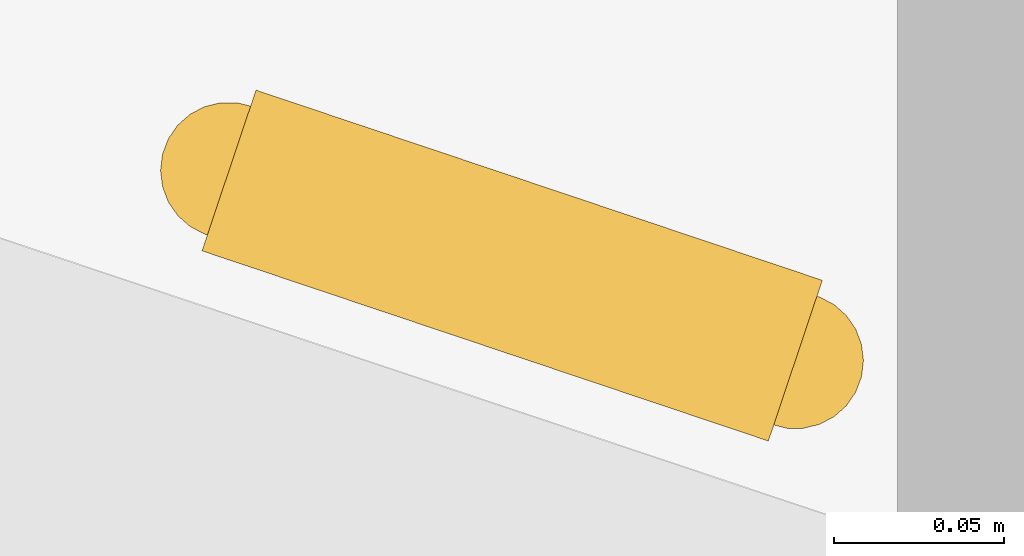
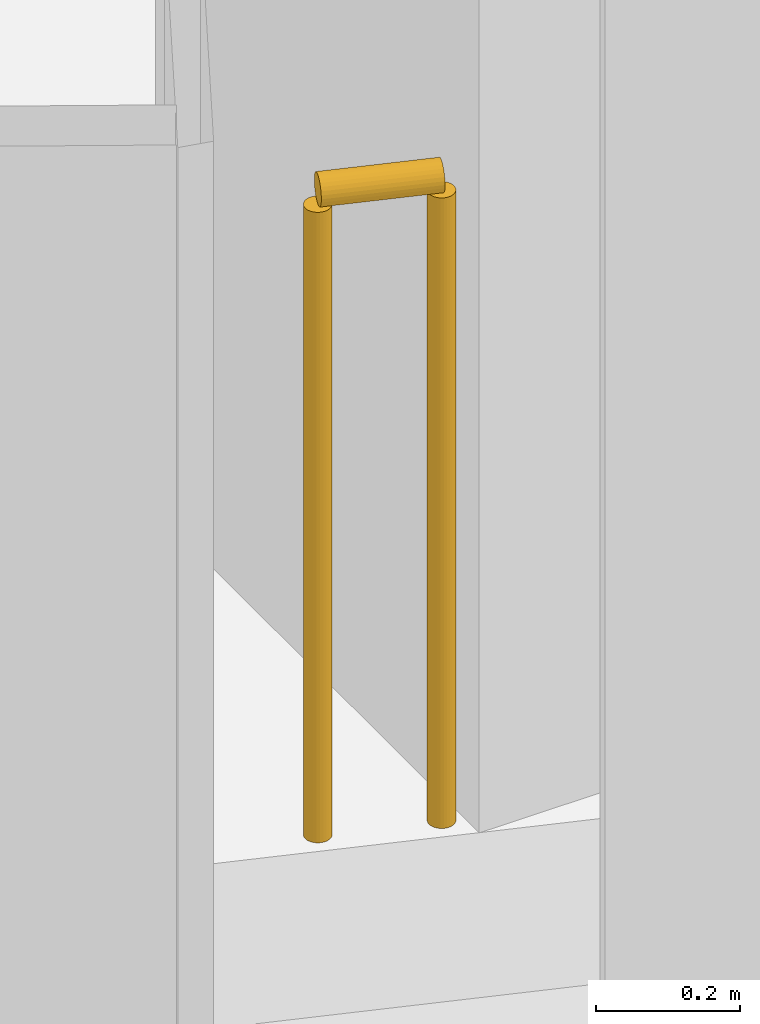
# One storey, part 29 of 32: 1 railing.
"""IFC4 building model written with IfcOpenShell, lengths in metres."""

from ifc_helpers import new_model, si_unit, direction, frame, origin, origin_2d, place, context, subcontext, project, spatial, circle, extrude, material, type_object, element, save


model = new_model("IFC4")

# Units and contexts
model_context = context("Model", 3, precision=1e-05, world=origin(), true_north=direction((0.0, 1.0)))
body_context = subcontext(model_context, "Body", "Model", "MODEL_VIEW")
ifc_project = project(units=[si_unit("LENGTHUNIT", "METRE"), si_unit("AREAUNIT", "SQUARE_METRE"), si_unit("VOLUMEUNIT", "CUBIC_METRE"), si_unit("PLANEANGLEUNIT", "RADIAN"), si_unit("MASSUNIT", "GRAM", prefix="KILO")], contexts=[model_context])

# Site, building, storey
site_placement = place(None, origin())
site = spatial("IfcSite", under=ifc_project, at=site_placement, CompositionType="ELEMENT")
building_placement = place(site_placement, origin())
building = spatial("IfcBuilding", under=site, at=building_placement, Name="Orlundy Tower", CompositionType="ELEMENT")
storey_placement = place(building_placement, frame((0.0, 0.0, 152.60009765625)))
storey = spatial("IfcBuildingStorey", under=building, at=storey_placement, Name="L39", CompositionType="ELEMENT", Elevation=152.60009765625)

# Railing
ifc_material = material(Name="Stainless steel bronze finish", Category="steel")
railing_type = type_object("IfcRailingType", Name="TG1 terrace guard", PredefinedType="GUARDRAIL", material=ifc_material)
railing_placement = place(storey_placement, frame((-28.468017578125, -53.17529296875, 0.0)))
element("IfcRailing", 1, at=railing_placement, inside=storey, type_object=railing_type, Name="Guard TG-L39-E00", PredefinedType="GUARDRAIL", context=body_context, shape_type="SweptSolid", body=[
    extrude(circle(Radius=0.02490234375, at=origin_2d()), frame((0.0, 0.0, 1.09521484375), z_axis=(-0.947986002429, 0.318312015478, 0.0), x_axis=(-0.318312015478, -0.947986002429, 0.0)), (0.0, 0.0, 1.0), 0.175537109375),
    extrude(circle(Radius=0.02001953125, at=origin_2d()), origin(), (0.0, 0.0, 1.0), 1.070068359375),
    extrude(circle(Radius=0.02001953125, at=origin_2d()), frame((-0.16650390625, 0.055908203125, 0.0)), (0.0, 0.0, 1.0), 1.070068359375),
])

save(model, "model.ifc")
